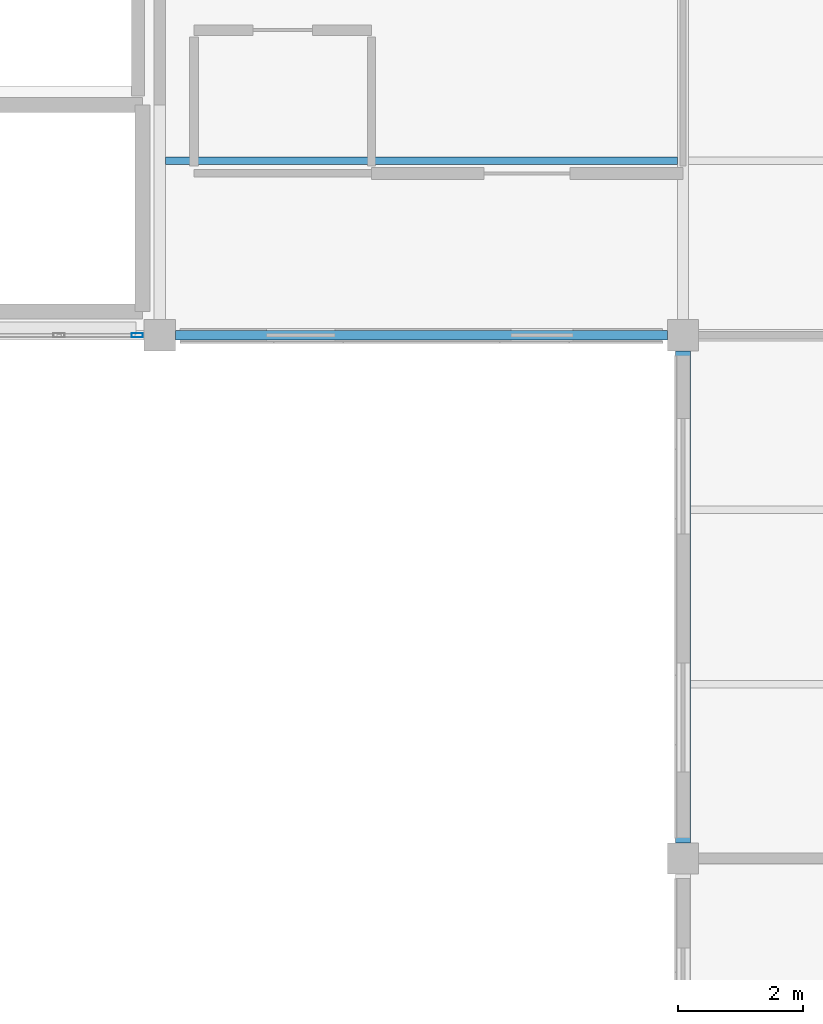
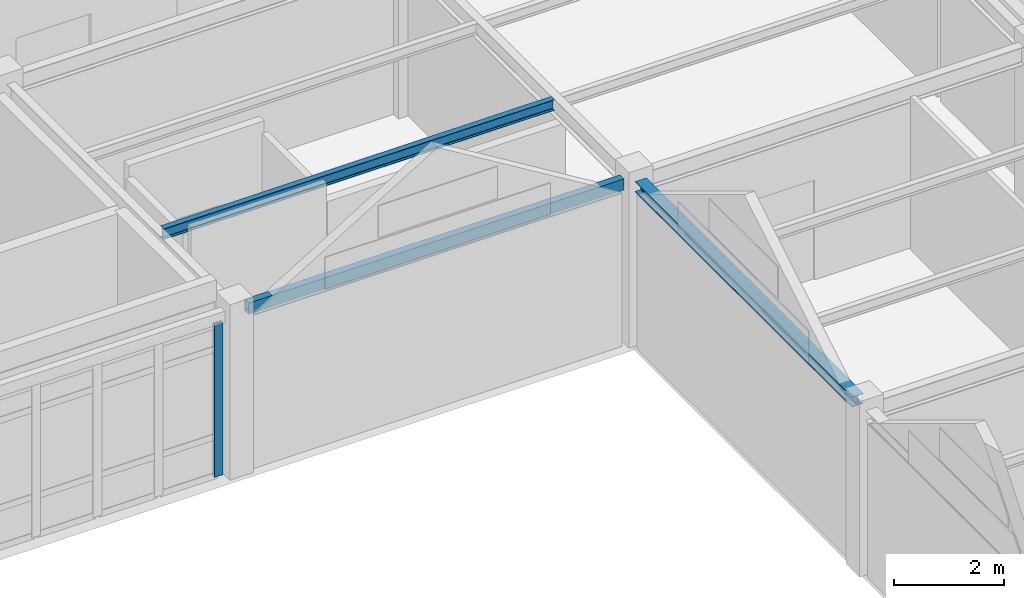
# One storey, part 14 of 45: 3 beams, 1 member, 1 element without a shape of its own.
"""IFC4 building model written with IfcOpenShell, lengths in metres."""

from ifc_helpers import new_model, si_unit, direction, frame, origin, origin_2d, place, context, subcontext, project, spatial, hollow_rectangle, i_section, extrude, material, layer, layer_set, material_profile, profile_set, type_object, element, aggregate, save


model = new_model("IFC4")

# Units and contexts
model_context = context("Model", 3, precision=1e-05, world=origin(), true_north=direction((0.0, 1.0)))
body_context = subcontext(model_context, "Body", "Model", "MODEL_VIEW")
ifc_project = project(units=[si_unit("LENGTHUNIT", "METRE"), si_unit("AREAUNIT", "SQUARE_METRE"), si_unit("VOLUMEUNIT", "CUBIC_METRE"), si_unit("PLANEANGLEUNIT", "RADIAN"), si_unit("MASSUNIT", "GRAM", prefix="KILO")], contexts=[model_context])

# Site, building, storey
site_placement = place(None, origin())
site = spatial("IfcSite", under=ifc_project, at=site_placement, CompositionType="ELEMENT")
building_placement = place(site_placement, origin())
building = spatial("IfcBuilding", under=site, at=building_placement, Name="Bramfleet General Hospital", CompositionType="ELEMENT")
storey_placement = place(building_placement, frame((0.0, 0.0, 30.300048828125)))
storey = spatial("IfcBuildingStorey", under=building, at=storey_placement, Name="L07", CompositionType="ELEMENT", Elevation=30.300048828125)

# Beams
ifc_material_1 = material(Name="Steel S355", Category="steel")
ifc_material_profile_1 = material_profile(ifc_material_1, i_section(OverallWidth=0.239990234375, OverallDepth=0.22998046875, WebThickness=0.007568359375, FlangeThickness=0.011962890625, FilletRadius=0.02099609375, at=origin_2d()), Name="HEA 240")
ifc_profile_set_1 = profile_set([ifc_material_profile_1], Name="Steel S355")
beam_type_1 = type_object("IfcBeamType", Name="BM-HEA240", PredefinedType="SPANDREL", material=ifc_profile_set_1)
beam_1_placement = place(storey_placement, frame((92.39990234375, 84.25, 3.544921875), z_axis=(0.0, 1.0, 0.0), x_axis=(-1.0, 0.0, 0.0)))
element("IfcBeam", 1, at=beam_1_placement, inside=storey, type_object=beam_type_1, Name="L07 Grid Beam Y 11-10", PredefinedType="SPANDREL", context=body_context, shape_type="SweptSolid", body=[
    extrude(i_section(OverallWidth=0.239990234375, OverallDepth=0.22998046875, WebThickness=0.007568359375, FlangeThickness=0.011962890625, FilletRadius=0.02099609375, at=origin_2d()), origin(), (0.0, 0.0, 1.0), 7.89990234375),
])
ifc_material_profile_2 = material_profile(ifc_material_1, i_section(OverallWidth=0.1201171875, OverallDepth=0.239990234375, WebThickness=0.006103515625, FlangeThickness=0.009765625, FilletRadius=0.014892578125, at=origin_2d()), Name="IPE 240")
ifc_profile_set_2 = profile_set([ifc_material_profile_2], Name="Steel S355")
beam_type_2 = type_object("IfcBeamType", Name="BM-IPE240", PredefinedType="JOIST", material=ifc_profile_set_2)
beam_2_placement = place(storey_placement, frame((84.090087890625, 95.199951171875, 3.5400390625), z_axis=(1.0, 0.0, 0.0), x_axis=(0.0, 1.0, 0.0)))
element("IfcBeam", 2, at=beam_2_placement, inside=storey, type_object=beam_type_2, Name="L07 Secondary Joist 10-11-1", PredefinedType="JOIST", context=body_context, shape_type="SweptSolid", body=[
    extrude(i_section(OverallWidth=0.1201171875, OverallDepth=0.239990234375, WebThickness=0.006103515625, FlangeThickness=0.009765625, FilletRadius=0.014892578125, at=origin_2d()), origin(), (0.0, 0.0, 1.0), 8.219970703125),
])
ifc_material_profile_3 = material_profile(ifc_material_1, hollow_rectangle(XDim=0.14990234375, YDim=0.25, WallThickness=0.010009765625, at=origin_2d()), Name="RHS 250x150x10.0")
ifc_profile_set_3 = profile_set([ifc_material_profile_3], Name="Steel S355")
beam_type_3 = type_object("IfcBeamType", Name="BM-RHS250", PredefinedType="SPANDREL", material=ifc_profile_set_3)
beam_3_placement = place(storey_placement, frame((84.25, 92.39990234375, 3.534912109375), z_axis=(1.0, 0.0, 0.0), x_axis=(0.0, 1.0, 0.0)))
element("IfcBeam", 3, at=beam_3_placement, inside=storey, type_object=beam_type_3, Name="L07 Grid Beam X 10-11", PredefinedType="SPANDREL", context=body_context, shape_type="SweptSolid", body=[
    extrude(hollow_rectangle(XDim=0.14990234375, YDim=0.25, WallThickness=0.010009765625, at=origin_2d()), origin(), (0.0, 0.0, 1.0), 7.89990234375),
])

# Curtain wall, member
ifc_material_2 = material(Name="Anodised aluminium and low-E triple glazing", Category="aluminium")
ifc_layer = layer(ifc_material_2, 0.179931640625, Name="CWT-CW-07")
ifc_layer_set = layer_set([ifc_layer], Name="Anodised aluminium and low-E triple glazing")
curtain_wall_type = type_object("IfcCurtainWallType", Name="CWT-CW-07", PredefinedType="USERDEFINED", material=ifc_layer_set)
curtain_wall_placement = place(storey_placement, origin())
curtain_wall = element("IfcCurtainWall", 4, at=curtain_wall_placement, inside=storey, type_object=curtain_wall_type, Name="L07 Curtain Wall 223", ObjectType="Unitised curtain wall", PredefinedType="USERDEFINED")
ifc_material_3 = material(Name="Anodised aluminium EN AW-6060", Category="aluminium")
ifc_material_profile_4 = material_profile(ifc_material_3, hollow_rectangle(XDim=0.070068359375, YDim=0.179931640625, WallThickness=0.00390625, at=origin_2d()), Name="ALU 180x70x4.0")
ifc_profile_set_4 = profile_set([ifc_material_profile_4], Name="Anodised aluminium EN AW-6060")
member_type = type_object("IfcMemberType", Name="CWM-ALU180", PredefinedType="MULLION", material=ifc_profile_set_4)
member_placement = place(storey_placement, frame((83.639892578125, 92.39990234375, 0.0), z_axis=(0.0, 0.0, 1.0), x_axis=(0.0, -1.0, 0.0)))
member = element("IfcMember", 5, at=member_placement, type_object=member_type, Name="CW-07 mullion 1", PredefinedType="MULLION", context=body_context, shape_type="SweptSolid", body=[
    extrude(hollow_rectangle(XDim=0.070068359375, YDim=0.179931640625, WallThickness=0.00390625, at=origin_2d()), origin(), (0.0, 0.0, 1.0), 3.39990234375),
])
aggregate(curtain_wall, [member])

save(model, "model.ifc")
